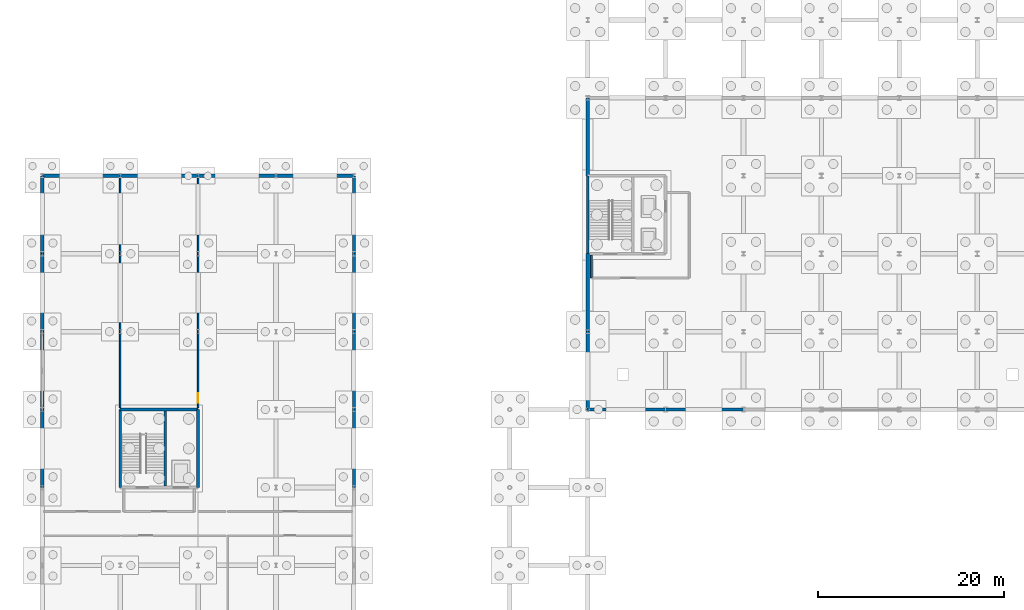
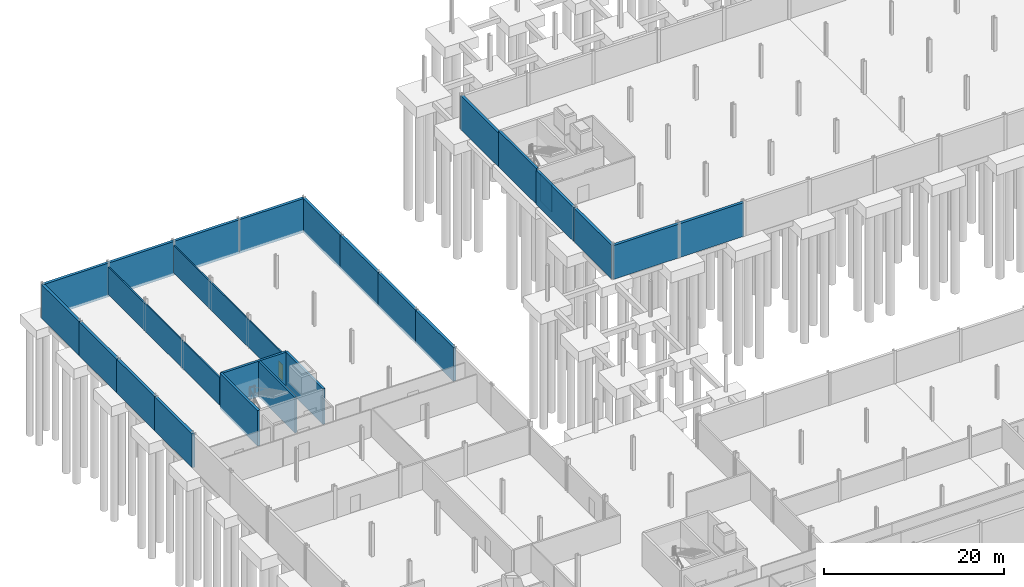
# One storey, part 35 of 51: 25 walls, 1 door, 1 opening.
"""IFC4 building model written with IfcOpenShell, lengths in metres."""

import ifcopenshell
import ifcopenshell.guid

model = None  # the IFC model being written
_history = None  # IfcOwnerHistory: only IFC2X3 demands one
_inside = {}  # id of a spatial element -> (the spatial element, [elements in it])
_under = {}  # id of a project, library or spatial element -> (it, [spatial elements below it])
_declared = {}  # id of a project -> (the project, [libraries it declares])
_typed = {}  # id of a type object -> (the type object, [elements of that type])
_made_of = {}  # id of a material, layer set ... -> (it, [elements and type objects made of it])


def new_model(schema):
    """Start an empty IFC model of exactly this schema.

    Asked for "IFC4X3", IfcOpenShell would pick the latest addendum, in which some entities
    have other attributes; the version numbers below select the first issue.
    IFC2X3 requires an IfcOwnerHistory on every rooted entity: one is made here for all.
    """
    global model, _history
    if schema == "IFC4X3":
        model = ifcopenshell.file(schema_version=(4, 3, 0, 0))
    else:
        model = ifcopenshell.file(schema=schema)
    _inside.clear()
    _under.clear()
    _declared.clear()
    _typed.clear()
    _made_of.clear()
    _history = None
    if model.schema == "IFC2X3":
        org = make("IfcOrganization", Name="unknown")
        user = make(
            "IfcPersonAndOrganization",
            ThePerson=make("IfcPerson", FamilyName="unknown"),
            TheOrganization=org,
        )
        app = make(
            "IfcApplication",
            ApplicationDeveloper=org,
            Version="unknown",
            ApplicationFullName="unknown",
            ApplicationIdentifier="unknown",
        )
        _history = make(
            "IfcOwnerHistory",
            OwningUser=user,
            OwningApplication=app,
            ChangeAction="ADDED",
            CreationDate=0,
        )
    return model


def make(cls, **values):
    """One entity of the class cls with the attributes given. An attribute that is None is left unset."""
    return model.create_entity(
        cls, **{name: value for name, value in values.items() if value is not None}
    )


def rooted(cls, **values):
    """An entity with a GlobalId (a new one), such as an element, a storey or a relation."""
    return make(cls, GlobalId=ifcopenshell.guid.new(), OwnerHistory=_history, **values)


def si_unit(unit_type, name, prefix=None):
    """IfcSIUnit, for example si_unit("LENGTHUNIT", "METRE", prefix="MILLI")."""
    return make("IfcSIUnit", UnitType=unit_type, Prefix=prefix, Name=name)


def assignment(units):
    """IfcUnitAssignment: the units of a project."""
    return None if units is None else make("IfcUnitAssignment", Units=units)


def point(xyz):
    """IfcCartesianPoint."""
    return None if xyz is None else make("IfcCartesianPoint", Coordinates=xyz)


def direction(xyz):
    """IfcDirection."""
    return None if xyz is None else make("IfcDirection", DirectionRatios=xyz)


def frame(location, z_axis=None, x_axis=None):
    """IfcAxis2Placement3D, a coordinate frame: its origin and axes. An axis left out is left unset."""
    return make(
        "IfcAxis2Placement3D",
        Location=point(location),
        Axis=direction(z_axis),
        RefDirection=direction(x_axis),
    )


def frame_2d(location, x_axis=None):
    """IfcAxis2Placement2D, a coordinate frame in the plane: its origin and x axis."""
    return make(
        "IfcAxis2Placement2D", Location=point(location), RefDirection=direction(x_axis)
    )


def origin():
    """The frame at (0, 0, 0) with its axes left unset."""
    return frame((0.0, 0.0, 0.0))


def place(relative_to, where):
    """IfcLocalPlacement: puts the frame where relative to a parent placement (None: the world)."""
    return make(
        "IfcLocalPlacement", PlacementRelTo=relative_to, RelativePlacement=where
    )


def context(
    kind, dimensions, precision=None, world=None, true_north=None, identifier=None
):
    """IfcGeometricRepresentationContext, for example the 3D "Model" context."""
    return make(
        "IfcGeometricRepresentationContext",
        ContextIdentifier=identifier,
        ContextType=kind,
        CoordinateSpaceDimension=dimensions,
        Precision=precision,
        WorldCoordinateSystem=world,
        TrueNorth=true_north,
    )


def subcontext(parent, identifier, kind, view, scale=None):
    """IfcGeometricRepresentationSubContext, for example "Body" below "Model"."""
    return make(
        "IfcGeometricRepresentationSubContext",
        ContextIdentifier=identifier,
        ContextType=kind,
        ParentContext=parent,
        TargetScale=scale,
        TargetView=view,
    )


def project(units=None, contexts=None):
    """IfcProject with its units and contexts."""
    return rooted(
        "IfcProject",
        Name="project",
        RepresentationContexts=contexts,
        UnitsInContext=assignment(units),
    )


def spatial(cls, under=None, at=None, **own):
    """A site, building, storey or space (cls), placed at a placement, below another one or the project."""
    s = rooted(cls, ObjectPlacement=at, **own)
    if under is not None:
        _under.setdefault(under.id(), (under, []))[1].append(s)
    return s


def profile(cls, at=None, kind="AREA", **sizes):
    """A parametric profile (cls). Its sizes go by their IFC names, for example OverallWidth=200.0."""
    return make(cls, ProfileType=kind, Position=at, **sizes)


def rectangle(**sizes):
    """IfcRectangleProfileDef."""
    return profile("IfcRectangleProfileDef", **sizes)


def extrude(swept, where, along, depth):
    """IfcExtrudedAreaSolid: the profile swept, set in the frame where, extruded along a direction by depth."""
    return make(
        "IfcExtrudedAreaSolid",
        SweptArea=swept,
        Position=where,
        ExtrudedDirection=direction(along),
        Depth=depth,
    )


def shape(context_of_items, identifier, shape_type, items):
    """IfcShapeRepresentation: the items that make up one representation, for example the "Body"."""
    return make(
        "IfcShapeRepresentation",
        ContextOfItems=context_of_items,
        RepresentationIdentifier=identifier,
        RepresentationType=shape_type,
        Items=items,
    )


def material(Name=None, Category=None):
    """IfcMaterial."""
    return make("IfcMaterial", Name=Name, Category=Category)


def layer(
    of_material, thickness, ventilated=None, Name=None, Category=None, Priority=None
):
    """IfcMaterialLayer: one layer of a wall or slab, of a material (None: an air gap)."""
    return make(
        "IfcMaterialLayer",
        Material=of_material,
        LayerThickness=thickness,
        IsVentilated=ventilated,
        Name=Name,
        Category=Category,
        Priority=Priority,
    )


def layer_set(layers, Name=None):
    """IfcMaterialLayerSet."""
    return make("IfcMaterialLayerSet", MaterialLayers=layers, LayerSetName=Name)


def made_of(thing, what):
    """Note that an element or type object is made of a material, layer set ...; save() writes the relation."""
    if what is not None:
        _made_of.setdefault(what.id(), (what, []))[1].append(thing)
    return thing


def type_object(cls, material=None, **own):
    """A type object (cls), such as IfcWallType, which elements share."""
    return made_of(rooted(cls, **own), material)


def element(
    cls,
    number,
    at=None,
    inside=None,
    cuts=None,
    type_object=None,
    material=None,
    context=None,
    identifier="Body",
    shape_type=None,
    held_by="IfcProductDefinitionShape",
    body=None,
    shapes=None,
    **own,
):
    """One element of the class cls, such as IfcWall. Its Tag is "e" and its number.

    at: its placement. inside: the storey or other place that contains it. cuts: it is an
    opening in that element (IfcRelVoidsElement). A single representation is given by context,
    identifier, shape_type and body (its items); several are given by shapes. held_by: the class
    of the entity that holds the representations. save() writes the other relations.
    """
    e = rooted(cls, Tag="e%d" % number, ObjectPlacement=at, **own)
    if body is not None:
        shapes = [shape(context, identifier, shape_type, body)]
    if shapes is not None:
        e.Representation = make(held_by, Representations=shapes)
    if inside is not None:
        _inside.setdefault(inside.id(), (inside, []))[1].append(e)
    if cuts is not None:
        rooted(
            "IfcRelVoidsElement", RelatingBuildingElement=cuts, RelatedOpeningElement=e
        )
    if type_object is not None:
        _typed.setdefault(type_object.id(), (type_object, []))[1].append(e)
    return made_of(e, material)


def fill(opening, filler):
    """IfcRelFillsElement: the door or window that sits in an opening."""
    return rooted(
        "IfcRelFillsElement",
        RelatingOpeningElement=opening,
        RelatedBuildingElement=filler,
    )


def aggregate(whole, parts):
    """IfcRelAggregates: a whole, such as a stair, and the parts it consists of."""
    return rooted("IfcRelAggregates", RelatingObject=whole, RelatedObjects=parts)


def save(model, path):
    """Write the relations noted so far, then the file.

    IfcRelAggregates (storeys below a building ...), IfcRelContainedInSpatialStructure (elements
    in a storey), IfcRelDefinesByType, IfcRelAssociatesMaterial and IfcRelDeclares: one each for
    every whole, place, type object, material and project.
    """
    for whole, parts in _under.values():
        aggregate(whole, parts)
    for where, things in _inside.values():
        rooted(
            "IfcRelContainedInSpatialStructure",
            RelatedElements=things,
            RelatingStructure=where,
        )
    for kind, things in _typed.values():
        rooted("IfcRelDefinesByType", RelatedObjects=things, RelatingType=kind)
    for what, things in _made_of.values():
        rooted("IfcRelAssociatesMaterial", RelatedObjects=things, RelatingMaterial=what)
    for by, libraries in _declared.values():
        rooted("IfcRelDeclares", RelatingContext=by, RelatedDefinitions=libraries)
    model.write(path)


model = new_model("IFC4")

# Units and contexts
model_context = context("Model", 3, precision=1e-05, world=origin(), true_north=direction((0.0, 1.0)))
body_context = subcontext(model_context, "Body", "Model", "MODEL_VIEW")
ifc_project = project(units=[si_unit("LENGTHUNIT", "METRE"), si_unit("AREAUNIT", "SQUARE_METRE"), si_unit("VOLUMEUNIT", "CUBIC_METRE"), si_unit("PLANEANGLEUNIT", "RADIAN"), si_unit("MASSUNIT", "GRAM", prefix="KILO")], contexts=[model_context])

# Site, building, storey
site_placement = place(None, origin())
site = spatial("IfcSite", under=ifc_project, at=site_placement, CompositionType="ELEMENT")
building_placement = place(site_placement, origin())
building = spatial("IfcBuilding", under=site, at=building_placement, Name="Qalvenar Corner Mobility Hub", CompositionType="ELEMENT")
storey_placement = place(building_placement, frame((0.0, 0.0, -4.5)))
storey = spatial("IfcBuildingStorey", under=building, at=storey_placement, Name="B1", CompositionType="ELEMENT", Elevation=-4.5)

# Walls
ifc_material_1 = material(Name="Concrete C40/50", Category="concrete")
ifc_layer_1 = layer(ifc_material_1, 0.25)
ifc_layer_set_1 = layer_set([ifc_layer_1], Name="Concrete C40/50")
wall_type_1 = type_object("IfcWallType", Name="WL-CORE250", PredefinedType="SHEAR", material=ifc_layer_set_1)
wall_1_placement = place(storey_placement, frame((13.25, 58.949951171875, -0.35009765625), z_axis=(0.0, 0.0, 1.0), x_axis=(0.0, 1.0, 0.0)))
element("IfcWall", 1, at=wall_1_placement, inside=storey, type_object=wall_type_1, Name="Core Divider Wall C5-B1", PredefinedType="SHEAR", context=body_context, shape_type="SweptSolid", body=[
    extrude(rectangle(XDim=8.10009765625, YDim=0.25, at=frame_2d((4.050048828125, 0.0))), origin(), (0.0, 0.0, 1.0), 4.85009765625),
])
ifc_layer_2 = layer(ifc_material_1, 0.300048828125)
ifc_layer_set_2 = layer_set([ifc_layer_2], Name="Concrete C40/50")
wall_type_2 = type_object("IfcWallType", Name="WL-CORE300", PredefinedType="SHEAR", material=ifc_layer_set_2)
for number, where, z_axis, x_axis, name in (
    (2, (58.800048828125, 92.39990234375, -0.35009765625), (0.0, 0.0, 1.0), (0.0, -1.0, 0.0), "Core Shear Wall C3-B1-W"),
    (3, (16.800048828125, 58.800048828125, -0.35009765625), (0.0, 0.0, 1.0), (0.0, 1.0, 0.0), "Core Shear Wall C5-B1-E"),
):
    element("IfcWall", number, at=place(storey_placement, frame(where, z_axis=z_axis, x_axis=x_axis)), inside=storey, type_object=wall_type_2, Name=name, PredefinedType="SHEAR", context=body_context, shape_type="SweptSolid", body=[
        extrude(rectangle(XDim=8.39990234375, YDim=0.300048828125, at=frame_2d((4.199951171875, 0.0))), origin(), (0.0, 0.0, 1.0), 4.85009765625),
    ])
wall_2_placement = place(storey_placement, frame((16.800048828125, 67.199951171875, -0.35009765625), z_axis=(0.0, 0.0, 1.0), x_axis=(-1.0, 0.0, 0.0)))
element("IfcWall", 4, at=wall_2_placement, inside=storey, type_object=wall_type_2, Name="Core Shear Wall C5-B1-N", PredefinedType="SHEAR", context=body_context, shape_type="SweptSolid", body=[
    extrude(rectangle(XDim=8.400146484375, YDim=0.300048828125, at=frame_2d((4.2001953125, 0.0))), origin(), (0.0, 0.0, 1.0), 4.85009765625),
])
wall_3_placement = place(storey_placement, frame((8.39990234375, 67.199951171875, -0.35009765625), z_axis=(0.0, 0.0, 1.0), x_axis=(0.0, -1.0, 0.0)))
element("IfcWall", 5, at=wall_3_placement, inside=storey, type_object=wall_type_2, Name="Core Shear Wall C5-B1-W", PredefinedType="SHEAR", context=body_context, shape_type="SweptSolid", body=[
    extrude(rectangle(XDim=8.39990234375, YDim=0.300048828125, at=frame_2d((4.199951171875, 0.0))), origin(), (0.0, 0.0, 1.0), 4.85009765625),
])
ifc_material_2 = material(Name="Plastered Clay Brick Partition", Category="masonry")
ifc_layer_3 = layer(ifc_material_2, 0.159912109375)
ifc_layer_set_3 = layer_set([ifc_layer_3], Name="Plastered Clay Brick Partition")
wall_type_3 = type_object("IfcWallType", Name="WL-INT160", PredefinedType="PARTITIONING", material=ifc_layer_set_3)
wall_4_placement = place(storey_placement, frame((8.39990234375, 67.39990234375, 0.0), z_axis=(0.0, 0.0, 1.0), x_axis=(0.0, 1.0, 0.0)))
element("IfcWall", 6, at=wall_4_placement, inside=storey, type_object=wall_type_3, Name="Interior Partition PRT-B1-036", PredefinedType="PARTITIONING", context=body_context, shape_type="SweptSolid", body=[
    extrude(rectangle(XDim=24.85009765625, YDim=0.159912109375, at=frame_2d((12.425048828125, 0.0))), origin(), (0.0, 0.0, 1.0), 3.760009765625),
])

# Wall, opening, door
wall_5_placement = place(storey_placement, frame((16.800048828125, 67.39990234375, 0.0), z_axis=(0.0, 0.0, 1.0), x_axis=(0.0, 1.0, 0.0)))
wall_5 = element("IfcWall", 7, at=wall_5_placement, inside=storey, type_object=wall_type_3, Name="Interior Partition PRT-B1-037", PredefinedType="PARTITIONING", context=body_context, shape_type="SweptSolid", body=[
    extrude(rectangle(XDim=24.85009765625, YDim=0.159912109375, at=frame_2d((12.425048828125, 0.0))), origin(), (0.0, 0.0, 1.0), 3.760009765625),
])
opening_placement = place(wall_5_placement, frame((0.550048828125, 0.0, 0.0)))
opening = element("IfcOpeningElement", 8, at=opening_placement, cuts=wall_5, Name="Opening DR-042", PredefinedType="OPENING", context=body_context, shape_type="SweptSolid", body=[
    extrude(rectangle(XDim=1.0, YDim=2.14990234375, at=frame_2d((0.5, 1.074951171875))), frame((0.0, 0.08984375, 0.0), z_axis=(0.0, -1.0, 0.0), x_axis=(1.0, 0.0, 0.0)), (0.0, 0.0, 1.0), 0.179931640625),
])
ifc_material_3 = material(Name="Hardwood Teak Office Door FD30", Category="wood")
door_type = type_object("IfcDoorType", Name="DR-INT-OFF100", OperationType="NOTDEFINED", PredefinedType="DOOR", material=ifc_material_3)
door_placement = place(opening_placement, origin())
door = element("IfcDoor", 9, at=door_placement, inside=storey, type_object=door_type, Name="DR-042 Cycle Locker Overflow Bay Door", OperationType="SINGLE_SWING_RIGHT", OverallHeight=2.14990234375, OverallWidth=1.0, PredefinedType="DOOR", context=body_context, shape_type="SweptSolid", body=[
    extrude(rectangle(XDim=1.0, YDim=2.14990234375, at=frame_2d((0.5, 1.074951171875))), frame((0.0, 0.02490234375, 0.0), z_axis=(0.0, -1.0, 0.0), x_axis=(1.0, 0.0, 0.0)), (0.0, 0.0, 1.0), 0.050048828125),
])
fill(opening, door)

# Walls
ifc_material_4 = material(Name="Concrete Blockwork Masonry", Category="masonry")
ifc_layer_4 = layer(ifc_material_4, 0.199951171875)
ifc_layer_set_4 = layer_set([ifc_layer_4], Name="Concrete Blockwork Masonry")
wall_type_4 = type_object("IfcWallType", Name="WL-LOBBY200", PredefinedType="PARTITIONING", material=ifc_layer_set_4)
wall_6_placement = place(storey_placement, frame((59.199951171875, 81.39990234375, 0.0), z_axis=(0.0, 0.0, 1.0), x_axis=(0.0, 1.0, 0.0)))
element("IfcWall", 10, at=wall_6_placement, inside=storey, type_object=wall_type_4, Name="Interior Partition WL-LOB-C3-B1-W", PredefinedType="PARTITIONING", context=body_context, shape_type="SweptSolid", body=[
    extrude(rectangle(XDim=2.4501953125, YDim=0.199951171875, at=frame_2d((1.22509765625, 0.0))), origin(), (0.0, 0.0, 1.0), 3.820068359375),
])
ifc_layer_5 = layer(ifc_material_1, 0.35009765625)
ifc_layer_set_5 = layer_set([ifc_layer_5], Name="Concrete C40/50")
wall_type_5 = type_object("IfcWallType", Name="WL-RET350", PredefinedType="SOLIDWALL", material=ifc_layer_set_5)
wall_7_placement = place(storey_placement, frame((0.0, 67.199951171875, -0.35009765625), z_axis=(0.0, 0.0, 1.0), x_axis=(0.0, -1.0, 0.0)))
element("IfcWall", 11, at=wall_7_placement, inside=storey, type_object=wall_type_5, Name="Basement Retaining Wall BW-047", PredefinedType="SOLIDWALL", context=body_context, shape_type="SweptSolid", body=[
    extrude(rectangle(XDim=8.39990234375, YDim=0.35009765625, at=frame_2d((4.199951171875, 0.0))), origin(), (0.0, 0.0, 1.0), 4.60009765625),
])
wall_8_placement = place(storey_placement, frame((0.0, 75.60009765625, -0.35009765625), z_axis=(0.0, 0.0, 1.0), x_axis=(0.0, -1.0, 0.0)))
element("IfcWall", 12, at=wall_8_placement, inside=storey, type_object=wall_type_5, Name="Basement Retaining Wall BW-048", PredefinedType="SOLIDWALL", context=body_context, shape_type="SweptSolid", body=[
    extrude(rectangle(XDim=8.400146484375, YDim=0.35009765625, at=frame_2d((4.2001953125, 0.0))), origin(), (0.0, 0.0, 1.0), 4.60009765625),
])
for number, where, z_axis, x_axis, name in (
    (13, (0.0, 84.0, -0.35009765625), (0.0, 0.0, 1.0), (0.0, -1.0, 0.0), "Basement Retaining Wall BW-049"),
    (14, (0.0, 92.39990234375, -0.35009765625), (0.0, 0.0, 1.0), (0.0, -1.0, 0.0), "Basement Retaining Wall BW-050"),
    (15, (0.0, 92.39990234375, -0.35009765625), (0.0, 0.0, 1.0), (1.0, 0.0, 0.0), "Basement Retaining Wall BW-053"),
):
    element("IfcWall", number, at=place(storey_placement, frame(where, z_axis=z_axis, x_axis=x_axis)), inside=storey, type_object=wall_type_5, Name=name, PredefinedType="SOLIDWALL", context=body_context, shape_type="SweptSolid", body=[
        extrude(rectangle(XDim=8.39990234375, YDim=0.35009765625, at=frame_2d((4.199951171875, 0.0))), origin(), (0.0, 0.0, 1.0), 4.60009765625),
    ])
wall_9_placement = place(storey_placement, frame((8.39990234375, 92.39990234375, -0.35009765625), z_axis=(0.0, 0.0, 1.0), x_axis=(1.0, 0.0, 0.0)))
element("IfcWall", 16, at=wall_9_placement, inside=storey, type_object=wall_type_5, Name="Basement Retaining Wall BW-054", PredefinedType="SOLIDWALL", context=body_context, shape_type="SweptSolid", body=[
    extrude(rectangle(XDim=8.400146484375, YDim=0.35009765625, at=frame_2d((4.2001953125, 0.0))), origin(), (0.0, 0.0, 1.0), 4.60009765625),
])
wall_10_placement = place(storey_placement, frame((16.800048828125, 92.39990234375, -0.35009765625), z_axis=(0.0, 0.0, 1.0), x_axis=(1.0, 0.0, 0.0)))
element("IfcWall", 17, at=wall_10_placement, inside=storey, type_object=wall_type_5, Name="Basement Retaining Wall BW-055", PredefinedType="SOLIDWALL", context=body_context, shape_type="SweptSolid", body=[
    extrude(rectangle(XDim=8.39990234375, YDim=0.35009765625, at=frame_2d((4.199951171875, 0.0))), origin(), (0.0, 0.0, 1.0), 4.60009765625),
])
wall_11_placement = place(storey_placement, frame((25.199951171875, 92.39990234375, -0.35009765625), z_axis=(0.0, 0.0, 1.0), x_axis=(1.0, 0.0, 0.0)))
element("IfcWall", 18, at=wall_11_placement, inside=storey, type_object=wall_type_5, Name="Basement Retaining Wall BW-056", PredefinedType="SOLIDWALL", context=body_context, shape_type="SweptSolid", body=[
    extrude(rectangle(XDim=8.400146484375, YDim=0.35009765625, at=frame_2d((4.2001953125, 0.0))), origin(), (0.0, 0.0, 1.0), 4.60009765625),
])
wall_12_placement = place(storey_placement, frame((33.60009765625, 67.199951171875, -0.35009765625), z_axis=(0.0, 0.0, 1.0), x_axis=(0.0, -1.0, 0.0)))
element("IfcWall", 19, at=wall_12_placement, inside=storey, type_object=wall_type_5, Name="Basement Retaining Wall BW-059", PredefinedType="SOLIDWALL", context=body_context, shape_type="SweptSolid", body=[
    extrude(rectangle(XDim=8.39990234375, YDim=0.35009765625, at=frame_2d((4.199951171875, 0.0))), origin(), (0.0, 0.0, 1.0), 4.60009765625),
])
wall_13_placement = place(storey_placement, frame((33.60009765625, 75.60009765625, -0.35009765625), z_axis=(0.0, 0.0, 1.0), x_axis=(0.0, -1.0, 0.0)))
element("IfcWall", 20, at=wall_13_placement, inside=storey, type_object=wall_type_5, Name="Basement Retaining Wall BW-060", PredefinedType="SOLIDWALL", context=body_context, shape_type="SweptSolid", body=[
    extrude(rectangle(XDim=8.400146484375, YDim=0.35009765625, at=frame_2d((4.2001953125, 0.0))), origin(), (0.0, 0.0, 1.0), 4.60009765625),
])
for number, where, z_axis, x_axis, name in (
    (21, (33.60009765625, 84.0, -0.35009765625), (0.0, 0.0, 1.0), (0.0, -1.0, 0.0), "Basement Retaining Wall BW-061"),
    (22, (33.60009765625, 92.39990234375, -0.35009765625), (0.0, 0.0, 1.0), (0.0, -1.0, 0.0), "Basement Retaining Wall BW-062"),
    (23, (58.800048828125, 67.199951171875, -0.35009765625), (0.0, 0.0, 1.0), (1.0, 0.0, 0.0), "Basement Retaining Wall BW-063"),
):
    element("IfcWall", number, at=place(storey_placement, frame(where, z_axis=z_axis, x_axis=x_axis)), inside=storey, type_object=wall_type_5, Name=name, PredefinedType="SOLIDWALL", context=body_context, shape_type="SweptSolid", body=[
        extrude(rectangle(XDim=8.39990234375, YDim=0.35009765625, at=frame_2d((4.199951171875, 0.0))), origin(), (0.0, 0.0, 1.0), 4.60009765625),
    ])
for number, where, z_axis, x_axis, name in (
    (24, (67.199951171875, 67.199951171875, -0.35009765625), (0.0, 0.0, 1.0), (1.0, 0.0, 0.0), "Basement Retaining Wall BW-064"),
    (25, (58.800048828125, 75.60009765625, -0.35009765625), (0.0, 0.0, 1.0), (0.0, -1.0, 0.0), "Basement Retaining Wall BW-075"),
):
    element("IfcWall", number, at=place(storey_placement, frame(where, z_axis=z_axis, x_axis=x_axis)), inside=storey, type_object=wall_type_5, Name=name, PredefinedType="SOLIDWALL", context=body_context, shape_type="SweptSolid", body=[
        extrude(rectangle(XDim=8.400146484375, YDim=0.35009765625, at=frame_2d((4.2001953125, 0.0))), origin(), (0.0, 0.0, 1.0), 4.60009765625),
    ])
wall_14_placement = place(storey_placement, frame((58.800048828125, 84.0, -0.35009765625), z_axis=(0.0, 0.0, 1.0), x_axis=(0.0, -1.0, 0.0)))
element("IfcWall", 26, at=wall_14_placement, inside=storey, type_object=wall_type_5, Name="Basement Retaining Wall BW-076", PredefinedType="SOLIDWALL", context=body_context, shape_type="SweptSolid", body=[
    extrude(rectangle(XDim=8.39990234375, YDim=0.35009765625, at=frame_2d((4.199951171875, 0.0))), origin(), (0.0, 0.0, 1.0), 4.60009765625),
])
wall_15_placement = place(storey_placement, frame((58.800048828125, 100.800048828125, -0.35009765625), z_axis=(0.0, 0.0, 1.0), x_axis=(0.0, -1.0, 0.0)))
element("IfcWall", 27, at=wall_15_placement, inside=storey, type_object=wall_type_5, Name="Basement Retaining Wall BW-077", PredefinedType="SOLIDWALL", context=body_context, shape_type="SweptSolid", body=[
    extrude(rectangle(XDim=8.400146484375, YDim=0.35009765625, at=frame_2d((4.2001953125, 0.0))), origin(), (0.0, 0.0, 1.0), 4.60009765625),
])

save(model, "model.ifc")
